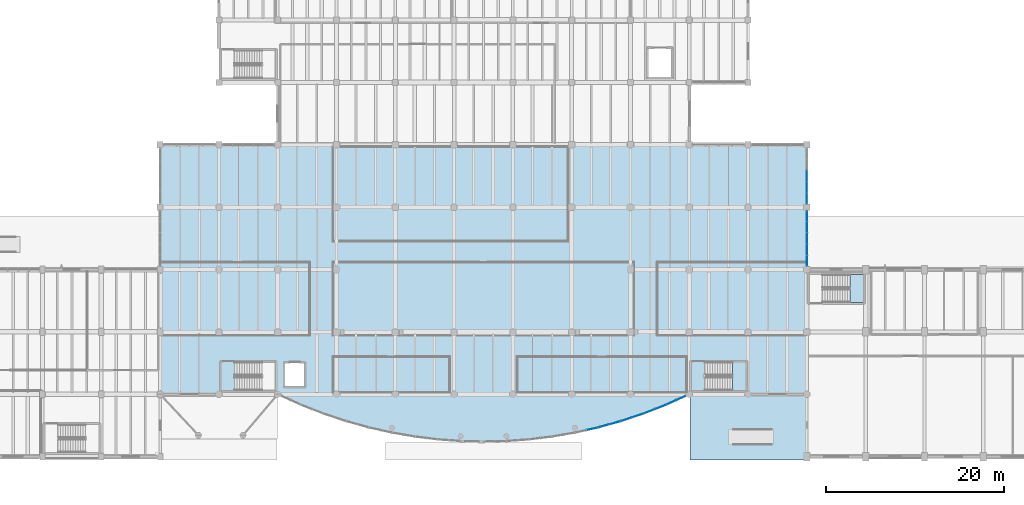
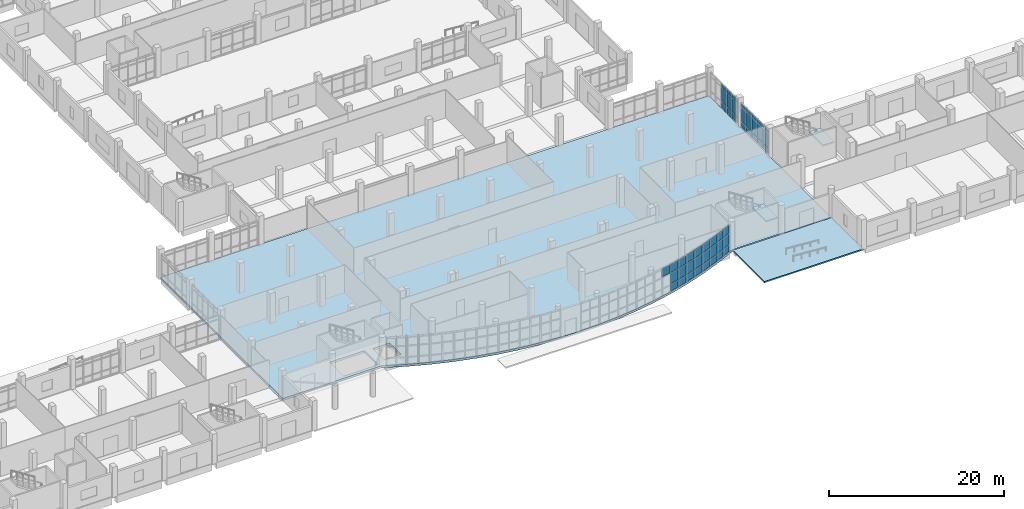
# One storey, part 36 of 69: 49 plates, 4 slabs, 9 elements without a shape of their own.
"""IFC4 building model written with IfcOpenShell, lengths in metres."""

from ifc_helpers import new_model, si_unit, direction, frame, origin, origin_2d, place, context, subcontext, project, spatial, polyline, rectangle, outline, extrude, material, layer, layer_set, type_object, element, aggregate, save


model = new_model("IFC4")

# Units and contexts
model_context = context("Model", 3, precision=1e-05, world=origin(), true_north=direction((0.0, 1.0)))
body_context = subcontext(model_context, "Body", "Model", "MODEL_VIEW")
ifc_project = project(units=[si_unit("LENGTHUNIT", "METRE"), si_unit("AREAUNIT", "SQUARE_METRE"), si_unit("VOLUMEUNIT", "CUBIC_METRE"), si_unit("PLANEANGLEUNIT", "RADIAN"), si_unit("MASSUNIT", "GRAM", prefix="KILO")], contexts=[model_context])

# Site, building, storey
site_placement = place(None, origin())
site = spatial("IfcSite", under=ifc_project, at=site_placement, CompositionType="ELEMENT")
building_placement = place(site_placement, origin())
building = spatial("IfcBuilding", under=site, at=building_placement, Name="Ciguamira Faculty of Natural Sciences", CompositionType="ELEMENT")
storey_placement = place(building_placement, origin())
storey = spatial("IfcBuildingStorey", under=building, at=storey_placement, Name="L00", CompositionType="ELEMENT", Elevation=0.0)

# Curtain wall, plates
ifc_material_1 = material(Name="Anodized aluminium curtain wall", Category="aluminium")
curtain_wall_type_1 = type_object("IfcCurtainWallType", Name="CurtainWall_CW-01", PredefinedType="USERDEFINED", material=ifc_material_1)
curtain_wall_1_placement = place(storey_placement, origin())
curtain_wall_1 = element("IfcCurtainWall", 1, at=curtain_wall_1_placement, inside=storey, type_object=curtain_wall_type_1, Name="L00 unitised curtain wall 0025", ObjectType="UNITISED CURTAIN WALL", PredefinedType="USERDEFINED")
ifc_material_2 = material(Name="Low-E laminated solar glass", Category="glass")
ifc_layer_1 = layer(ifc_material_2, 0.028076171875, Name="Low-E laminated solar glass")
ifc_layer_set_1 = layer_set([ifc_layer_1], Name="Low-E laminated solar glass")
plate_type_1 = type_object("IfcPlateType", Name="CWPanel_CWP-01", PredefinedType="CURTAIN_PANEL", material=ifc_layer_set_1)
plate_1_placement = place(storey_placement, frame((123.300048828125, 31.9951171875, 0.06005859375), z_axis=(0.0, 0.0, 1.0), x_axis=(0.0, 1.0, 0.0)))
plate_1 = element("IfcPlate", 2, at=plate_1_placement, type_object=plate_type_1, Name="CW-01 panel 1.1", PredefinedType="CURTAIN_PANEL", context=body_context, shape_type="SweptSolid", body=[
    extrude(rectangle(XDim=1.169921875, YDim=0.028076171875, at=origin_2d()), origin(), (0.0, 0.0, 1.0), 0.81005859375),
])
plate_2_placement = place(storey_placement, frame((123.300048828125, 31.9951171875, 0.929931640625), z_axis=(0.0, 0.0, 1.0), x_axis=(0.0, 1.0, 0.0)))
plate_2 = element("IfcPlate", 3, at=plate_2_placement, type_object=plate_type_1, Name="CW-01 panel 1.2", PredefinedType="CURTAIN_PANEL", context=body_context, shape_type="SweptSolid", body=[
    extrude(rectangle(XDim=1.169921875, YDim=0.028076171875, at=origin_2d()), origin(), (0.0, 0.0, 1.0), 1.9951171875),
])
plate_3_placement = place(storey_placement, frame((123.300048828125, 31.9951171875, 2.985107421875), z_axis=(0.0, 0.0, 1.0), x_axis=(0.0, 1.0, 0.0)))
plate_3 = element("IfcPlate", 4, at=plate_3_placement, type_object=plate_type_1, Name="CW-01 panel 1.3", PredefinedType="CURTAIN_PANEL", context=body_context, shape_type="SweptSolid", body=[
    extrude(rectangle(XDim=1.169921875, YDim=0.028076171875, at=origin_2d()), origin(), (0.0, 0.0, 1.0), 0.4599609375),
])
plate_4_placement = place(storey_placement, frame((123.300048828125, 33.239990234375, 0.06005859375), z_axis=(0.0, 0.0, 1.0), x_axis=(0.0, 1.0, 0.0)))
plate_4 = element("IfcPlate", 5, at=plate_4_placement, type_object=plate_type_1, Name="CW-01 panel 2.1", PredefinedType="CURTAIN_PANEL", context=body_context, shape_type="SweptSolid", body=[
    extrude(rectangle(XDim=1.199951171875, YDim=0.028076171875, at=origin_2d()), origin(), (0.0, 0.0, 1.0), 0.81005859375),
])
plate_5_placement = place(storey_placement, frame((123.300048828125, 33.239990234375, 0.929931640625), z_axis=(0.0, 0.0, 1.0), x_axis=(0.0, 1.0, 0.0)))
plate_5 = element("IfcPlate", 6, at=plate_5_placement, type_object=plate_type_1, Name="CW-01 panel 2.2", PredefinedType="CURTAIN_PANEL", context=body_context, shape_type="SweptSolid", body=[
    extrude(rectangle(XDim=1.199951171875, YDim=0.028076171875, at=origin_2d()), origin(), (0.0, 0.0, 1.0), 1.9951171875),
])
plate_6_placement = place(storey_placement, frame((123.300048828125, 33.239990234375, 2.985107421875), z_axis=(0.0, 0.0, 1.0), x_axis=(0.0, 1.0, 0.0)))
plate_6 = element("IfcPlate", 7, at=plate_6_placement, type_object=plate_type_1, Name="CW-01 panel 2.3", PredefinedType="CURTAIN_PANEL", context=body_context, shape_type="SweptSolid", body=[
    extrude(rectangle(XDim=1.199951171875, YDim=0.028076171875, at=origin_2d()), origin(), (0.0, 0.0, 1.0), 0.4599609375),
])
plate_7_placement = place(storey_placement, frame((123.300048828125, 34.5, 0.06005859375), z_axis=(0.0, 0.0, 1.0), x_axis=(0.0, 1.0, 0.0)))
plate_7 = element("IfcPlate", 8, at=plate_7_placement, type_object=plate_type_1, Name="CW-01 panel 3.1", PredefinedType="CURTAIN_PANEL", context=body_context, shape_type="SweptSolid", body=[
    extrude(rectangle(XDim=1.199951171875, YDim=0.028076171875, at=origin_2d()), origin(), (0.0, 0.0, 1.0), 0.81005859375),
])
plate_8_placement = place(storey_placement, frame((123.300048828125, 34.5, 0.929931640625), z_axis=(0.0, 0.0, 1.0), x_axis=(0.0, 1.0, 0.0)))
plate_8 = element("IfcPlate", 9, at=plate_8_placement, type_object=plate_type_1, Name="CW-01 panel 3.2", PredefinedType="CURTAIN_PANEL", context=body_context, shape_type="SweptSolid", body=[
    extrude(rectangle(XDim=1.199951171875, YDim=0.028076171875, at=origin_2d()), origin(), (0.0, 0.0, 1.0), 1.9951171875),
])
plate_9_placement = place(storey_placement, frame((123.300048828125, 34.5, 2.985107421875), z_axis=(0.0, 0.0, 1.0), x_axis=(0.0, 1.0, 0.0)))
plate_9 = element("IfcPlate", 10, at=plate_9_placement, type_object=plate_type_1, Name="CW-01 panel 3.3", PredefinedType="CURTAIN_PANEL", context=body_context, shape_type="SweptSolid", body=[
    extrude(rectangle(XDim=1.199951171875, YDim=0.028076171875, at=origin_2d()), origin(), (0.0, 0.0, 1.0), 0.4599609375),
])
aggregate(curtain_wall_1, [plate_1, plate_2, plate_3, plate_4, plate_5, plate_6, plate_7, plate_8, plate_9])

# Curtain wall, plate
curtain_wall_type_2 = type_object("IfcCurtainWallType", Name="CurtainWall_CW-07", PredefinedType="USERDEFINED", material=ifc_material_1)
curtain_wall_2_placement = place(storey_placement, origin())
curtain_wall_2 = element("IfcCurtainWall", 11, at=curtain_wall_2_placement, inside=storey, type_object=curtain_wall_type_2, Name="L00 south gallery curved curtain wall 14", ObjectType="UNITISED CURTAIN WALL", PredefinedType="USERDEFINED")
plate_10_placement = place(storey_placement, frame((99.172119140625, 6.11376953125, 2.68994140625), z_axis=(0.0, 0.0, 1.0), x_axis=(0.975762990759, 0.218830038763, 0.0)))
plate_10 = element("IfcPlate", 12, at=plate_10_placement, type_object=plate_type_1, Name="CW-07 panel 2.3", PredefinedType="CURTAIN_PANEL", context=body_context, shape_type="SweptSolid", body=[
    extrude(rectangle(XDim=1.195068359375, YDim=0.028076171875, at=origin_2d()), origin(), (0.0, 0.0, 1.0), 1.1298828125),
])
aggregate(curtain_wall_2, [plate_10])

# Curtain wall, plates
curtain_wall_type_3 = type_object("IfcCurtainWallType", Name="CurtainWall_CW-08", PredefinedType="USERDEFINED", material=ifc_material_1)
curtain_wall_3_placement = place(storey_placement, origin())
curtain_wall_3 = element("IfcCurtainWall", 13, at=curtain_wall_3_placement, inside=storey, type_object=curtain_wall_type_3, Name="L00 south gallery curved curtain wall 15", ObjectType="UNITISED CURTAIN WALL", PredefinedType="USERDEFINED")
plate_11_placement = place(storey_placement, frame((100.494140625, 6.445556640625, 0.080078125), z_axis=(0.0, 0.0, 1.0), x_axis=(0.963573286652, 0.267444426472, 0.0)))
plate_11 = element("IfcPlate", 14, at=plate_11_placement, type_object=plate_type_1, Name="CW-08 panel 1.1", PredefinedType="CURTAIN_PANEL", context=body_context, shape_type="SweptSolid", body=[
    extrude(rectangle(XDim=1.2119140625, YDim=0.028076171875, at=origin_2d()), origin(), (0.0, 0.0, 1.0), 0.929931640625),
])
plate_12_placement = place(storey_placement, frame((100.494140625, 6.445556640625, 1.090087890625), z_axis=(0.0, 0.0, 1.0), x_axis=(0.963573286652, 0.267444426472, 0.0)))
plate_12 = element("IfcPlate", 15, at=plate_12_placement, type_object=plate_type_1, Name="CW-08 panel 1.2", PredefinedType="CURTAIN_PANEL", context=body_context, shape_type="SweptSolid", body=[
    extrude(rectangle(XDim=1.2119140625, YDim=0.028076171875, at=origin_2d()), origin(), (0.0, 0.0, 1.0), 1.52001953125),
])
plate_13_placement = place(storey_placement, frame((100.494140625, 6.445556640625, 2.68994140625), z_axis=(0.0, 0.0, 1.0), x_axis=(0.963573286652, 0.267444426472, 0.0)))
plate_13 = element("IfcPlate", 16, at=plate_13_placement, type_object=plate_type_1, Name="CW-08 panel 1.3", PredefinedType="CURTAIN_PANEL", context=body_context, shape_type="SweptSolid", body=[
    extrude(rectangle(XDim=1.2119140625, YDim=0.028076171875, at=origin_2d()), origin(), (0.0, 0.0, 1.0), 1.1298828125),
])
plate_14_placement = place(storey_placement, frame((101.739013671875, 6.791015625, 0.080078125), z_axis=(0.0, 0.0, 1.0), x_axis=(0.963573286652, 0.267444426472, 0.0)))
plate_14 = element("IfcPlate", 17, at=plate_14_placement, type_object=plate_type_1, Name="CW-08 panel 2.1", PredefinedType="CURTAIN_PANEL", context=body_context, shape_type="SweptSolid", body=[
    extrude(rectangle(XDim=1.2119140625, YDim=0.028076171875, at=origin_2d()), origin(), (0.0, 0.0, 1.0), 0.929931640625),
])
plate_15_placement = place(storey_placement, frame((101.739013671875, 6.791015625, 1.090087890625), z_axis=(0.0, 0.0, 1.0), x_axis=(0.963573286652, 0.267444426472, 0.0)))
plate_15 = element("IfcPlate", 18, at=plate_15_placement, type_object=plate_type_1, Name="CW-08 panel 2.2", PredefinedType="CURTAIN_PANEL", context=body_context, shape_type="SweptSolid", body=[
    extrude(rectangle(XDim=1.2119140625, YDim=0.028076171875, at=origin_2d()), origin(), (0.0, 0.0, 1.0), 1.52001953125),
])
plate_16_placement = place(storey_placement, frame((101.739013671875, 6.791015625, 2.68994140625), z_axis=(0.0, 0.0, 1.0), x_axis=(0.963573286652, 0.267444426472, 0.0)))
plate_16 = element("IfcPlate", 19, at=plate_16_placement, type_object=plate_type_1, Name="CW-08 panel 2.3", PredefinedType="CURTAIN_PANEL", context=body_context, shape_type="SweptSolid", body=[
    extrude(rectangle(XDim=1.2119140625, YDim=0.028076171875, at=origin_2d()), origin(), (0.0, 0.0, 1.0), 1.1298828125),
])
aggregate(curtain_wall_3, [plate_11, plate_12, plate_13, plate_14, plate_15, plate_16])

curtain_wall_type_4 = type_object("IfcCurtainWallType", Name="CurtainWall_CW-09", PredefinedType="USERDEFINED", material=ifc_material_1)
curtain_wall_4_placement = place(storey_placement, origin())
curtain_wall_4 = element("IfcCurtainWall", 20, at=curtain_wall_4_placement, inside=storey, type_object=curtain_wall_type_4, Name="L00 south gallery curved curtain wall 16", ObjectType="UNITISED CURTAIN WALL", PredefinedType="USERDEFINED")
plate_17_placement = place(storey_placement, frame((103.060546875, 7.194580078125, 0.080078125), z_axis=(0.0, 0.0, 1.0), x_axis=(0.948735033862, 0.316072516242, 0.0)))
plate_17 = element("IfcPlate", 21, at=plate_17_placement, type_object=plate_type_1, Name="CW-09 panel 1.1", PredefinedType="CURTAIN_PANEL", context=body_context, shape_type="SweptSolid", body=[
    extrude(rectangle(XDim=1.232666015625, YDim=0.028076171875, at=origin_2d()), origin(), (0.0, 0.0, 1.0), 0.929931640625),
])
plate_18_placement = place(storey_placement, frame((103.060546875, 7.194580078125, 1.090087890625), z_axis=(0.0, 0.0, 1.0), x_axis=(0.948735033862, 0.316072516242, 0.0)))
plate_18 = element("IfcPlate", 22, at=plate_18_placement, type_object=plate_type_1, Name="CW-09 panel 1.2", PredefinedType="CURTAIN_PANEL", context=body_context, shape_type="SweptSolid", body=[
    extrude(rectangle(XDim=1.232666015625, YDim=0.028076171875, at=origin_2d()), origin(), (0.0, 0.0, 1.0), 1.52001953125),
])
plate_19_placement = place(storey_placement, frame((103.060546875, 7.194580078125, 2.68994140625), z_axis=(0.0, 0.0, 1.0), x_axis=(0.948735033862, 0.316072516242, 0.0)))
plate_19 = element("IfcPlate", 23, at=plate_19_placement, type_object=plate_type_1, Name="CW-09 panel 1.3", PredefinedType="CURTAIN_PANEL", context=body_context, shape_type="SweptSolid", body=[
    extrude(rectangle(XDim=1.232666015625, YDim=0.028076171875, at=origin_2d()), origin(), (0.0, 0.0, 1.0), 1.1298828125),
])
plate_20_placement = place(storey_placement, frame((104.30615234375, 7.609619140625, 0.080078125), z_axis=(0.0, 0.0, 1.0), x_axis=(0.948735033862, 0.316072516242, 0.0)))
plate_20 = element("IfcPlate", 24, at=plate_20_placement, type_object=plate_type_1, Name="CW-09 panel 2.1", PredefinedType="CURTAIN_PANEL", context=body_context, shape_type="SweptSolid", body=[
    extrude(rectangle(XDim=1.232666015625, YDim=0.028076171875, at=origin_2d()), origin(), (0.0, 0.0, 1.0), 0.929931640625),
])
plate_21_placement = place(storey_placement, frame((104.30615234375, 7.609619140625, 1.090087890625), z_axis=(0.0, 0.0, 1.0), x_axis=(0.948735033862, 0.316072516242, 0.0)))
plate_21 = element("IfcPlate", 25, at=plate_21_placement, type_object=plate_type_1, Name="CW-09 panel 2.2", PredefinedType="CURTAIN_PANEL", context=body_context, shape_type="SweptSolid", body=[
    extrude(rectangle(XDim=1.232666015625, YDim=0.028076171875, at=origin_2d()), origin(), (0.0, 0.0, 1.0), 1.52001953125),
])
plate_22_placement = place(storey_placement, frame((104.30615234375, 7.609619140625, 2.68994140625), z_axis=(0.0, 0.0, 1.0), x_axis=(0.948735033862, 0.316072516242, 0.0)))
plate_22 = element("IfcPlate", 26, at=plate_22_placement, type_object=plate_type_1, Name="CW-09 panel 2.3", PredefinedType="CURTAIN_PANEL", context=body_context, shape_type="SweptSolid", body=[
    extrude(rectangle(XDim=1.232666015625, YDim=0.028076171875, at=origin_2d()), origin(), (0.0, 0.0, 1.0), 1.1298828125),
])
aggregate(curtain_wall_4, [plate_17, plate_18, plate_19, plate_20, plate_21, plate_22])

curtain_wall_type_5 = type_object("IfcCurtainWallType", Name="CurtainWall_CW-10", PredefinedType="USERDEFINED", material=ifc_material_1)
curtain_wall_5_placement = place(storey_placement, origin())
curtain_wall_5 = element("IfcCurtainWall", 27, at=curtain_wall_5_placement, inside=storey, type_object=curtain_wall_type_5, Name="L00 south gallery curved curtain wall 17", ObjectType="UNITISED CURTAIN WALL", PredefinedType="USERDEFINED")
plate_23_placement = place(storey_placement, frame((105.626953125, 8.088134765625, 0.080078125), z_axis=(0.0, 0.0, 1.0), x_axis=(0.931122296337, 0.36470710065, 0.0)))
plate_23 = element("IfcPlate", 28, at=plate_23_placement, type_object=plate_type_1, Name="CW-10 panel 1.1", PredefinedType="CURTAIN_PANEL", context=body_context, shape_type="SweptSolid", body=[
    extrude(rectangle(XDim=1.25830078125, YDim=0.028076171875, at=origin_2d()), origin(), (0.0, 0.0, 1.0), 0.929931640625),
])
plate_24_placement = place(storey_placement, frame((105.626953125, 8.088134765625, 1.090087890625), z_axis=(0.0, 0.0, 1.0), x_axis=(0.931122296337, 0.36470710065, 0.0)))
plate_24 = element("IfcPlate", 29, at=plate_24_placement, type_object=plate_type_1, Name="CW-10 panel 1.2", PredefinedType="CURTAIN_PANEL", context=body_context, shape_type="SweptSolid", body=[
    extrude(rectangle(XDim=1.25830078125, YDim=0.028076171875, at=origin_2d()), origin(), (0.0, 0.0, 1.0), 1.52001953125),
])
plate_25_placement = place(storey_placement, frame((105.626953125, 8.088134765625, 2.68994140625), z_axis=(0.0, 0.0, 1.0), x_axis=(0.931122296337, 0.36470710065, 0.0)))
plate_25 = element("IfcPlate", 30, at=plate_25_placement, type_object=plate_type_1, Name="CW-10 panel 1.3", PredefinedType="CURTAIN_PANEL", context=body_context, shape_type="SweptSolid", body=[
    extrude(rectangle(XDim=1.25830078125, YDim=0.028076171875, at=origin_2d()), origin(), (0.0, 0.0, 1.0), 1.1298828125),
])
plate_26_placement = place(storey_placement, frame((106.873046875, 8.576171875, 0.080078125), z_axis=(0.0, 0.0, 1.0), x_axis=(0.931122296337, 0.36470710065, 0.0)))
plate_26 = element("IfcPlate", 31, at=plate_26_placement, type_object=plate_type_1, Name="CW-10 panel 2.1", PredefinedType="CURTAIN_PANEL", context=body_context, shape_type="SweptSolid", body=[
    extrude(rectangle(XDim=1.25830078125, YDim=0.028076171875, at=origin_2d()), origin(), (0.0, 0.0, 1.0), 0.929931640625),
])
plate_27_placement = place(storey_placement, frame((106.873046875, 8.576171875, 1.090087890625), z_axis=(0.0, 0.0, 1.0), x_axis=(0.931122296337, 0.36470710065, 0.0)))
plate_27 = element("IfcPlate", 32, at=plate_27_placement, type_object=plate_type_1, Name="CW-10 panel 2.2", PredefinedType="CURTAIN_PANEL", context=body_context, shape_type="SweptSolid", body=[
    extrude(rectangle(XDim=1.25830078125, YDim=0.028076171875, at=origin_2d()), origin(), (0.0, 0.0, 1.0), 1.52001953125),
])
plate_28_placement = place(storey_placement, frame((106.873046875, 8.576171875, 2.68994140625), z_axis=(0.0, 0.0, 1.0), x_axis=(0.931122296337, 0.36470710065, 0.0)))
plate_28 = element("IfcPlate", 33, at=plate_28_placement, type_object=plate_type_1, Name="CW-10 panel 2.3", PredefinedType="CURTAIN_PANEL", context=body_context, shape_type="SweptSolid", body=[
    extrude(rectangle(XDim=1.25830078125, YDim=0.028076171875, at=origin_2d()), origin(), (0.0, 0.0, 1.0), 1.1298828125),
])
aggregate(curtain_wall_5, [plate_23, plate_24, plate_25, plate_26, plate_27, plate_28])

curtain_wall_type_6 = type_object("IfcCurtainWallType", Name="CurtainWall_CW-11", PredefinedType="USERDEFINED", material=ifc_material_1)
curtain_wall_6_placement = place(storey_placement, origin())
curtain_wall_6 = element("IfcCurtainWall", 34, at=curtain_wall_6_placement, inside=storey, type_object=curtain_wall_type_6, Name="L00 south gallery curved curtain wall 18", ObjectType="UNITISED CURTAIN WALL", PredefinedType="USERDEFINED")
plate_29_placement = place(storey_placement, frame((108.09765625, 9.091064453125, 0.080078125), z_axis=(0.0, 0.0, 1.0), x_axis=(0.910580503774, 0.41333176281, 0.0)))
plate_29 = element("IfcPlate", 35, at=plate_29_placement, type_object=plate_type_1, Name="CW-11 panel 1.1", PredefinedType="CURTAIN_PANEL", context=body_context, shape_type="SweptSolid", body=[
    extrude(rectangle(XDim=1.079345703125, YDim=0.028076171875, at=origin_2d()), origin(), (0.0, 0.0, 1.0), 0.929931640625),
])
plate_30_placement = place(storey_placement, frame((108.09765625, 9.091064453125, 1.090087890625), z_axis=(0.0, 0.0, 1.0), x_axis=(0.910580503774, 0.41333176281, 0.0)))
plate_30 = element("IfcPlate", 36, at=plate_30_placement, type_object=plate_type_1, Name="CW-11 panel 1.2", PredefinedType="CURTAIN_PANEL", context=body_context, shape_type="SweptSolid", body=[
    extrude(rectangle(XDim=1.079345703125, YDim=0.028076171875, at=origin_2d()), origin(), (0.0, 0.0, 1.0), 1.52001953125),
])
plate_31_placement = place(storey_placement, frame((108.09765625, 9.091064453125, 2.68994140625), z_axis=(0.0, 0.0, 1.0), x_axis=(0.910580503774, 0.41333176281, 0.0)))
plate_31 = element("IfcPlate", 37, at=plate_31_placement, type_object=plate_type_1, Name="CW-11 panel 1.3", PredefinedType="CURTAIN_PANEL", context=body_context, shape_type="SweptSolid", body=[
    extrude(rectangle(XDim=1.079345703125, YDim=0.028076171875, at=origin_2d()), origin(), (0.0, 0.0, 1.0), 1.1298828125),
])
plate_32_placement = place(storey_placement, frame((109.1533203125, 9.5703125, 0.080078125), z_axis=(0.0, 0.0, 1.0), x_axis=(0.910580503774, 0.41333176281, 0.0)))
plate_32 = element("IfcPlate", 38, at=plate_32_placement, type_object=plate_type_1, Name="CW-11 panel 2.1", PredefinedType="CURTAIN_PANEL", context=body_context, shape_type="SweptSolid", body=[
    extrude(rectangle(XDim=1.079345703125, YDim=0.028076171875, at=origin_2d()), origin(), (0.0, 0.0, 1.0), 0.929931640625),
])
plate_33_placement = place(storey_placement, frame((109.1533203125, 9.5703125, 1.090087890625), z_axis=(0.0, 0.0, 1.0), x_axis=(0.910580503774, 0.41333176281, 0.0)))
plate_33 = element("IfcPlate", 39, at=plate_33_placement, type_object=plate_type_1, Name="CW-11 panel 2.2", PredefinedType="CURTAIN_PANEL", context=body_context, shape_type="SweptSolid", body=[
    extrude(rectangle(XDim=1.079345703125, YDim=0.028076171875, at=origin_2d()), origin(), (0.0, 0.0, 1.0), 1.52001953125),
])
plate_34_placement = place(storey_placement, frame((109.1533203125, 9.5703125, 2.68994140625), z_axis=(0.0, 0.0, 1.0), x_axis=(0.910580503774, 0.41333176281, 0.0)))
plate_34 = element("IfcPlate", 40, at=plate_34_placement, type_object=plate_type_1, Name="CW-11 panel 2.3", PredefinedType="CURTAIN_PANEL", context=body_context, shape_type="SweptSolid", body=[
    extrude(rectangle(XDim=1.079345703125, YDim=0.028076171875, at=origin_2d()), origin(), (0.0, 0.0, 1.0), 1.1298828125),
])
aggregate(curtain_wall_6, [plate_29, plate_30, plate_31, plate_32, plate_33, plate_34])

curtain_wall_type_7 = type_object("IfcCurtainWallType", Name="CurtainWall_CW-12", PredefinedType="USERDEFINED", material=ifc_material_1)
curtain_wall_7_placement = place(storey_placement, origin())
curtain_wall_7 = element("IfcCurtainWall", 41, at=curtain_wall_7_placement, inside=storey, type_object=curtain_wall_type_7, Name="L00 unitised curtain wall 0024", ObjectType="UNITISED CURTAIN WALL", PredefinedType="USERDEFINED")
ifc_layer_2 = layer(ifc_material_2, 0.035888671875, Name="Low-E laminated solar glass")
ifc_layer_set_2 = layer_set([ifc_layer_2], Name="Low-E laminated solar glass")
plate_type_2 = type_object("IfcPlateType", Name="CWPanel_CWP-02", PredefinedType="CURTAIN_PANEL", material=ifc_layer_set_2)
plate_35_placement = place(storey_placement, frame((123.300048828125, 25.0, 0.080078125), z_axis=(0.0, 0.0, 1.0), x_axis=(0.0, 1.0, 0.0)))
plate_35 = element("IfcPlate", 42, at=plate_35_placement, type_object=plate_type_2, Name="CW-12 panel 1.1", PredefinedType="CURTAIN_PANEL", context=body_context, shape_type="SweptSolid", body=[
    extrude(rectangle(XDim=1.139892578125, YDim=0.035888671875, at=origin_2d()), origin(), (0.0, 0.0, 1.0), 0.780029296875),
])
plate_36_placement = place(storey_placement, frame((123.300048828125, 25.0, 0.93994140625), z_axis=(0.0, 0.0, 1.0), x_axis=(0.0, 1.0, 0.0)))
plate_36 = element("IfcPlate", 43, at=plate_36_placement, type_object=plate_type_2, Name="CW-12 panel 1.2", PredefinedType="CURTAIN_PANEL", context=body_context, shape_type="SweptSolid", body=[
    extrude(rectangle(XDim=1.139892578125, YDim=0.035888671875, at=origin_2d()), origin(), (0.0, 0.0, 1.0), 1.97509765625),
])
plate_37_placement = place(storey_placement, frame((123.300048828125, 25.0, 2.9951171875), z_axis=(0.0, 0.0, 1.0), x_axis=(0.0, 1.0, 0.0)))
plate_37 = element("IfcPlate", 44, at=plate_37_placement, type_object=plate_type_2, Name="CW-12 panel 1.3", PredefinedType="CURTAIN_PANEL", context=body_context, shape_type="SweptSolid", body=[
    extrude(rectangle(XDim=1.139892578125, YDim=0.035888671875, at=origin_2d()), origin(), (0.0, 0.0, 1.0), 0.429931640625),
])
plate_38_placement = place(storey_placement, frame((123.300048828125, 26.239990234375, 0.080078125), z_axis=(0.0, 0.0, 1.0), x_axis=(0.0, 1.0, 0.0)))
plate_38 = element("IfcPlate", 45, at=plate_38_placement, type_object=plate_type_2, Name="CW-12 panel 2.1", PredefinedType="CURTAIN_PANEL", context=body_context, shape_type="SweptSolid", body=[
    extrude(rectangle(XDim=1.179931640625, YDim=0.035888671875, at=origin_2d()), origin(), (0.0, 0.0, 1.0), 0.780029296875),
])
plate_39_placement = place(storey_placement, frame((123.300048828125, 26.239990234375, 0.93994140625), z_axis=(0.0, 0.0, 1.0), x_axis=(0.0, 1.0, 0.0)))
plate_39 = element("IfcPlate", 46, at=plate_39_placement, type_object=plate_type_2, Name="CW-12 panel 2.2", PredefinedType="CURTAIN_PANEL", context=body_context, shape_type="SweptSolid", body=[
    extrude(rectangle(XDim=1.179931640625, YDim=0.035888671875, at=origin_2d()), origin(), (0.0, 0.0, 1.0), 1.97509765625),
])
plate_40_placement = place(storey_placement, frame((123.300048828125, 26.239990234375, 2.9951171875), z_axis=(0.0, 0.0, 1.0), x_axis=(0.0, 1.0, 0.0)))
plate_40 = element("IfcPlate", 47, at=plate_40_placement, type_object=plate_type_2, Name="CW-12 panel 2.3", PredefinedType="CURTAIN_PANEL", context=body_context, shape_type="SweptSolid", body=[
    extrude(rectangle(XDim=1.179931640625, YDim=0.035888671875, at=origin_2d()), origin(), (0.0, 0.0, 1.0), 0.429931640625),
])
plate_41_placement = place(storey_placement, frame((123.300048828125, 27.5, 0.080078125), z_axis=(0.0, 0.0, 1.0), x_axis=(0.0, 1.0, 0.0)))
plate_41 = element("IfcPlate", 48, at=plate_41_placement, type_object=plate_type_2, Name="CW-12 panel 3.1", PredefinedType="CURTAIN_PANEL", context=body_context, shape_type="SweptSolid", body=[
    extrude(rectangle(XDim=1.179931640625, YDim=0.035888671875, at=origin_2d()), origin(), (0.0, 0.0, 1.0), 0.780029296875),
])
plate_42_placement = place(storey_placement, frame((123.300048828125, 27.5, 0.93994140625), z_axis=(0.0, 0.0, 1.0), x_axis=(0.0, 1.0, 0.0)))
plate_42 = element("IfcPlate", 49, at=plate_42_placement, type_object=plate_type_2, Name="CW-12 panel 3.2", PredefinedType="CURTAIN_PANEL", context=body_context, shape_type="SweptSolid", body=[
    extrude(rectangle(XDim=1.179931640625, YDim=0.035888671875, at=origin_2d()), origin(), (0.0, 0.0, 1.0), 1.97509765625),
])
plate_43_placement = place(storey_placement, frame((123.300048828125, 27.5, 2.9951171875), z_axis=(0.0, 0.0, 1.0), x_axis=(0.0, 1.0, 0.0)))
plate_43 = element("IfcPlate", 50, at=plate_43_placement, type_object=plate_type_2, Name="CW-12 panel 3.3", PredefinedType="CURTAIN_PANEL", context=body_context, shape_type="SweptSolid", body=[
    extrude(rectangle(XDim=1.179931640625, YDim=0.035888671875, at=origin_2d()), origin(), (0.0, 0.0, 1.0), 0.429931640625),
])
plate_44_placement = place(storey_placement, frame((123.300048828125, 28.760009765625, 0.080078125), z_axis=(0.0, 0.0, 1.0), x_axis=(0.0, 1.0, 0.0)))
plate_44 = element("IfcPlate", 51, at=plate_44_placement, type_object=plate_type_2, Name="CW-12 panel 4.1", PredefinedType="CURTAIN_PANEL", context=body_context, shape_type="SweptSolid", body=[
    extrude(rectangle(XDim=1.179931640625, YDim=0.035888671875, at=origin_2d()), origin(), (0.0, 0.0, 1.0), 0.780029296875),
])
plate_45_placement = place(storey_placement, frame((123.300048828125, 28.760009765625, 0.93994140625), z_axis=(0.0, 0.0, 1.0), x_axis=(0.0, 1.0, 0.0)))
plate_45 = element("IfcPlate", 52, at=plate_45_placement, type_object=plate_type_2, Name="CW-12 panel 4.2", PredefinedType="CURTAIN_PANEL", context=body_context, shape_type="SweptSolid", body=[
    extrude(rectangle(XDim=1.179931640625, YDim=0.035888671875, at=origin_2d()), origin(), (0.0, 0.0, 1.0), 1.97509765625),
])
plate_46_placement = place(storey_placement, frame((123.300048828125, 28.760009765625, 2.9951171875), z_axis=(0.0, 0.0, 1.0), x_axis=(0.0, 1.0, 0.0)))
plate_46 = element("IfcPlate", 53, at=plate_46_placement, type_object=plate_type_2, Name="CW-12 panel 4.3", PredefinedType="CURTAIN_PANEL", context=body_context, shape_type="SweptSolid", body=[
    extrude(rectangle(XDim=1.179931640625, YDim=0.035888671875, at=origin_2d()), origin(), (0.0, 0.0, 1.0), 0.429931640625),
])
plate_47_placement = place(storey_placement, frame((123.300048828125, 30.0, 0.080078125), z_axis=(0.0, 0.0, 1.0), x_axis=(0.0, 1.0, 0.0)))
plate_47 = element("IfcPlate", 54, at=plate_47_placement, type_object=plate_type_2, Name="CW-12 panel 5.1", PredefinedType="CURTAIN_PANEL", context=body_context, shape_type="SweptSolid", body=[
    extrude(rectangle(XDim=1.139892578125, YDim=0.035888671875, at=origin_2d()), origin(), (0.0, 0.0, 1.0), 0.780029296875),
])
plate_48_placement = place(storey_placement, frame((123.300048828125, 30.0, 0.93994140625), z_axis=(0.0, 0.0, 1.0), x_axis=(0.0, 1.0, 0.0)))
plate_48 = element("IfcPlate", 55, at=plate_48_placement, type_object=plate_type_2, Name="CW-12 panel 5.2", PredefinedType="CURTAIN_PANEL", context=body_context, shape_type="SweptSolid", body=[
    extrude(rectangle(XDim=1.139892578125, YDim=0.035888671875, at=origin_2d()), origin(), (0.0, 0.0, 1.0), 1.97509765625),
])
plate_49_placement = place(storey_placement, frame((123.300048828125, 30.0, 2.9951171875), z_axis=(0.0, 0.0, 1.0), x_axis=(0.0, 1.0, 0.0)))
plate_49 = element("IfcPlate", 56, at=plate_49_placement, type_object=plate_type_2, Name="CW-12 panel 5.3", PredefinedType="CURTAIN_PANEL", context=body_context, shape_type="SweptSolid", body=[
    extrude(rectangle(XDim=1.139892578125, YDim=0.035888671875, at=origin_2d()), origin(), (0.0, 0.0, 1.0), 0.429931640625),
])
aggregate(curtain_wall_7, [plate_35, plate_36, plate_37, plate_38, plate_39, plate_40, plate_41, plate_42, plate_43, plate_44, plate_45, plate_46, plate_47, plate_48, plate_49])

# Slabs
ifc_material_3 = material(Name="Precast concrete C35/45", Category="concrete")
ifc_layer_3 = layer(ifc_material_3, 0.179931640625, Name="Precast concrete C35/45")
ifc_layer_set_3 = layer_set([ifc_layer_3], Name="Precast concrete C35/45")
slab_type_1 = type_object("IfcSlabType", Name="PavingSlab_PV01", PredefinedType="BASESLAB", material=ifc_layer_set_3)
slab_1_placement = place(storey_placement, frame((0.0, 0.0, -0.179931640625)))
element("IfcSlab", 57, at=slab_1_placement, inside=storey, type_object=slab_type_1, Name="South East Escarpment Walk", PredefinedType="BASESLAB", context=body_context, shape_type="SweptSolid", body=[
    extrude(outline(polyline([(110.199951171875, 2.64990234375), (123.300048828125, 2.64990234375), (123.300048828125, 9.89990234375), (110.199951171875, 9.89990234375), (110.199951171875, 2.64990234375)])), origin(), (0.0, 0.0, 1.0), 0.179931640625),
])
ifc_material_4 = material(Name="Concrete C40/50", Category="concrete")
ifc_layer_4 = layer(ifc_material_4, 0.300048828125, Name="Concrete C40/50")
ifc_layer_set_4 = layer_set([ifc_layer_4], Name="Concrete C40/50")
slab_type_2 = type_object("IfcSlabType", Name="Slab_SF-02_300", PredefinedType="FLOOR", material=ifc_layer_set_4)
slab_2_placement = place(storey_placement, frame((0.0, 0.0, -0.300048828125)))
element("IfcSlab", 58, at=slab_2_placement, inside=storey, type_object=slab_type_2, Name="L00 V3 structural slab", PredefinedType="FLOOR", context=body_context, shape_type="SweptSolid", body=[
    extrude(outline(polyline([(50.75, 10.0), (63.89990234375, 10.0), (66.466796875, 8.8349609375), (69.033203125, 7.82958984375), (71.60009765625, 6.974609375), (74.166748046875, 6.26220703125), (76.7333984375, 5.6865234375), (79.300048828125, 5.2431640625), (81.86669921875, 4.928955078125), (84.433349609375, 4.7412109375), (87.0, 4.6787109375), (89.566650390625, 4.7412109375), (92.13330078125, 4.928955078125), (94.699951171875, 5.2431640625), (97.2666015625, 5.6865234375), (99.833251953125, 6.26220703125), (102.39990234375, 6.974609375), (104.966796875, 7.82958984375), (107.533203125, 8.8349609375), (110.10009765625, 10.0), (123.25, 10.0), (123.25, 38.0), (50.75, 38.0), (50.75, 10.0)]), holes=[polyline([(59.06005859375, 10.449951171875), (63.64990234375, 10.449951171875), (63.64990234375, 13.610107421875), (59.06005859375, 13.610107421875), (59.06005859375, 10.449951171875)]), polyline([(64.699951171875, 10.89990234375), (66.89990234375, 10.89990234375), (66.89990234375, 13.5), (64.699951171875, 13.5), (64.699951171875, 10.89990234375)])]), origin(), (0.0, 0.0, 1.0), 0.300048828125),
])

# Stair, slab
stair_type_1 = type_object("IfcStairType", Name="Stair_STR-02", PredefinedType="HALF_TURN_STAIR", material=ifc_material_4)
stair_1_placement = place(storey_placement, origin())
stair_1 = element("IfcStair", 59, at=stair_1_placement, inside=storey, type_object=stair_type_1, Name="L00 Atrium East Exit Stair", PredefinedType="HALF_TURN_STAIR")
ifc_layer_5 = layer(ifc_material_4, 0.199951171875, Name="Concrete C40/50")
ifc_layer_set_5 = layer_set([ifc_layer_5], Name="Concrete C40/50")
slab_type_3 = type_object("IfcSlabType", Name="StairLanding_SLD01", PredefinedType="LANDING", material=ifc_layer_set_5)
slab_3_placement = place(storey_placement, frame((0.0, 0.0, 1.89990234375)))
slab_3 = element("IfcSlab", 60, at=slab_3_placement, type_object=slab_type_3, Name="ST-A2 landing 1", PredefinedType="LANDING", context=body_context, shape_type="SweptSolid", body=[
    extrude(outline(polyline([(114.93994140625, 10.449951171875), (116.449951171875, 10.449951171875), (116.449951171875, 13.610107421875), (114.93994140625, 13.610107421875), (114.93994140625, 10.449951171875)])), origin(), (0.0, 0.0, 1.0), 0.2001953125),
])
aggregate(stair_1, [slab_3])

stair_type_2 = type_object("IfcStairType", Name="Stair_STR-01", PredefinedType="HALF_TURN_STAIR", material=ifc_material_4)
stair_2_placement = place(storey_placement, origin())
stair_2 = element("IfcStair", 61, at=stair_2_placement, inside=storey, type_object=stair_type_2, Name="L00 Lecture Pavilion West Stair", PredefinedType="HALF_TURN_STAIR")
slab_4_placement = place(storey_placement, frame((0.0, 0.0, 1.89990234375)))
slab_4 = element("IfcSlab", 62, at=slab_4_placement, type_object=slab_type_3, Name="ST-L1 landing 1", PredefinedType="LANDING", context=body_context, shape_type="SweptSolid", body=[
    extrude(outline(polyline([(128.139892578125, 20.300048828125), (129.64990234375, 20.300048828125), (129.64990234375, 23.4599609375), (128.139892578125, 23.4599609375), (128.139892578125, 20.300048828125)])), origin(), (0.0, 0.0, 1.0), 0.2001953125),
])
aggregate(stair_2, [slab_4])

save(model, "model.ifc")
